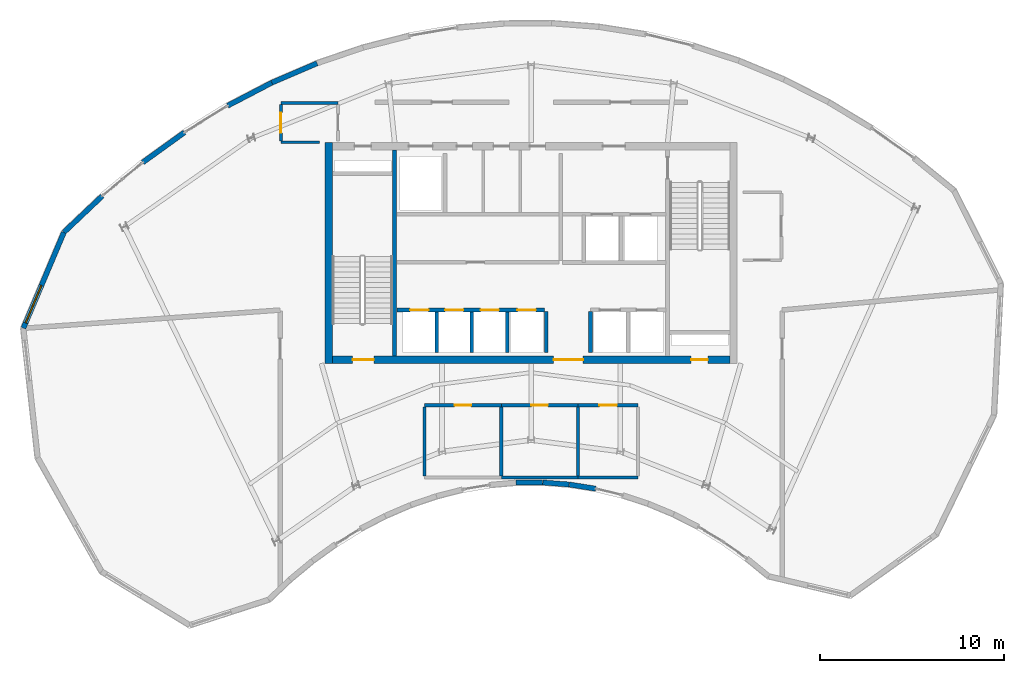
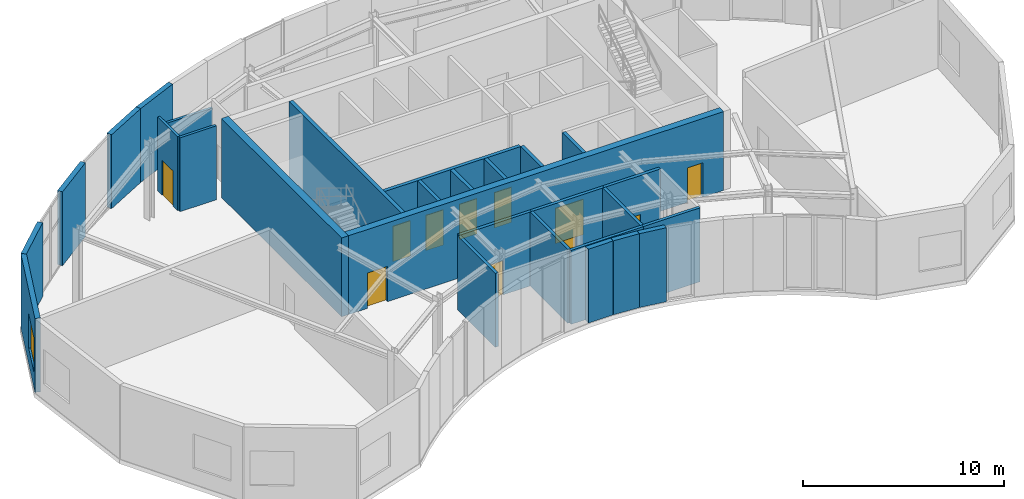
# One storey, part 6 of 10: 28 walls, 11 doors, 1 window, 12 openings.
"""IFC4 building model written with IfcOpenShell, lengths in metres."""

from ifc_helpers import new_model, si_unit, direction, frame, frame_2d, origin, place, context, subcontext, project, spatial, rectangle, extrude, source, transform, mapped, material, layer, layer_set, type_object, type_shapes, element, fill, save


model = new_model("IFC4")

# Units and contexts
model_context = context("Model", 3, precision=1e-05, world=origin(), true_north=direction((0.0, 1.0)))
body_context = subcontext(model_context, "Body", "Model", "MODEL_VIEW")
ifc_project = project(units=[si_unit("LENGTHUNIT", "METRE"), si_unit("AREAUNIT", "SQUARE_METRE"), si_unit("VOLUMEUNIT", "CUBIC_METRE"), si_unit("PLANEANGLEUNIT", "RADIAN"), si_unit("MASSUNIT", "GRAM", prefix="KILO")], contexts=[model_context])

# Site, building, storey
site_placement = place(None, origin())
site = spatial("IfcSite", under=ifc_project, at=site_placement, CompositionType="ELEMENT")
building_placement = place(site_placement, origin())
building = spatial("IfcBuilding", under=site, at=building_placement, Name="Breltana Convention Tower", CompositionType="ELEMENT")
storey_placement = place(building_placement, frame((0.0, 0.0, 307.800048828125)))
storey = spatial("IfcBuildingStorey", under=building, at=storey_placement, Name="L75", CompositionType="ELEMENT", Elevation=307.800048828125)

# Wall
ifc_material_1 = material(Name="Concrete C50/60", Category="concrete")
ifc_layer_1 = layer(ifc_material_1, 0.39990234375, Name="Concrete C50/60")
ifc_layer_set_1 = layer_set([ifc_layer_1], Name="Concrete C50/60")
wall_type_1 = type_object("IfcWallType", Name="SW-CORE-400", PredefinedType="SHEAR", material=ifc_layer_set_1)
shared_shape_1 = source(origin(), body_context, "Body", "SweptSolid", [
    extrude(rectangle(XDim=12.0, YDim=0.39990234375, at=frame_2d((6.0, 0.0))), origin(), (0.0, 0.0, 1.0), 4.800048828125),
])
wall_1_placement = place(storey_placement, frame((37.0, 60.199951171875, 0.0), z_axis=(0.0, 0.0, 1.0), x_axis=(0.0, 1.0, 0.0)))
element("IfcWall", 1, at=wall_1_placement, inside=storey, type_object=wall_type_1, Name="L75 West Core Shear Wall", PredefinedType="SHEAR", context=body_context, shape_type="MappedRepresentation", body=[
    mapped(shared_shape_1, transform((0.0, 0.0, 0.0), scale=1.0)),
])

# Wall, openings, doors
shared_shape_2 = source(origin(), body_context, "Body", "SweptSolid", [
    extrude(rectangle(XDim=21.60009765625, YDim=0.39990234375, at=frame_2d((10.800048828125, 0.0))), origin(), (0.0, 0.0, 1.0), 4.800048828125),
])
wall_2_placement = place(storey_placement, frame((37.199951171875, 60.39990234375, 0.0), z_axis=(0.0, 0.0, 1.0), x_axis=(1.0, 0.0, 0.0)))
wall_2 = element("IfcWall", 2, at=wall_2_placement, inside=storey, type_object=wall_type_1, Name="L75 South Core Shear Wall", PredefinedType="SHEAR", context=body_context, shape_type="MappedRepresentation", body=[
    mapped(shared_shape_2, transform((0.0, 0.0, 0.0), scale=1.0)),
])
opening_1_placement = place(wall_2_placement, frame((1.10009765625, 0.0, 0.0)))
opening_1 = element("IfcOpeningElement", 3, at=opening_1_placement, cuts=wall_2, Name="Opening D-11", PredefinedType="OPENING", context=body_context, shape_type="SweptSolid", body=[
    extrude(rectangle(XDim=1.14990234375, YDim=2.14990234375, at=frame_2d((0.574951171875, 1.074951171875))), frame((0.0, 0.2099609375, 0.0), z_axis=(0.0, -1.0, 0.0), x_axis=(1.0, 0.0, 0.0)), (0.0, 0.0, 1.0), 0.419921875),
])
opening_2_placement = place(wall_2_placement, frame((19.5, 0.0, 0.0)))
opening_2 = element("IfcOpeningElement", 4, at=opening_2_placement, cuts=wall_2, Name="Opening D-18", PredefinedType="OPENING", context=body_context, shape_type="SweptSolid", body=[
    extrude(rectangle(XDim=0.89990234375, YDim=2.10009765625, at=frame_2d((0.449951171875, 1.050048828125))), frame((0.0, 0.2099609375, 0.0), z_axis=(0.0, -1.0, 0.0), x_axis=(1.0, 0.0, 0.0)), (0.0, 0.0, 1.0), 0.419921875),
])
opening_3_placement = place(wall_2_placement, frame((12.02001953125, 0.0, 0.0)))
opening_3 = element("IfcOpeningElement", 5, at=opening_3_placement, cuts=wall_2, Name="Opening D-02", PredefinedType="OPENING", context=body_context, shape_type="SweptSolid", body=[
    extrude(rectangle(XDim=1.60009765625, YDim=2.14990234375, at=frame_2d((0.800048828125, 1.074951171875))), frame((0.0, 0.2099609375, 0.0), z_axis=(0.0, -1.0, 0.0), x_axis=(1.0, 0.0, 0.0)), (0.0, 0.0, 1.0), 0.419921875),
])
ifc_material_2 = material(Name="Steel Stair Exit Door", Category="steel")
door_type_1 = type_object("IfcDoorType", Name="DR-FD120-1150", OperationType="NOTDEFINED", PredefinedType="DOOR", material=ifc_material_2)
shared_shape_3 = source(origin(), body_context, "Body", "SweptSolid", [
    extrude(rectangle(XDim=1.14990234375, YDim=2.14990234375, at=frame_2d((0.574951171875, 1.074951171875))), frame((0.0, 0.02490234375, 0.0), z_axis=(0.0, -1.0, 0.0), x_axis=(1.0, 0.0, 0.0)), (0.0, 0.0, 1.0), 0.050048828125),
])
type_shapes(door_type_1, [shared_shape_3])
door_1_placement = place(opening_1_placement, origin())
door_1 = element("IfcDoor", 6, at=door_1_placement, inside=storey, type_object=door_type_1, Name="L75 interior door D-L75-ST1", OperationType="SINGLE_SWING_LEFT", OverallHeight=2.14990234375, OverallWidth=1.14990234375, PredefinedType="DOOR", context=body_context, shape_type="MappedRepresentation", body=[
    mapped(shared_shape_3, transform((0.0, 0.0, 0.0), scale=1.0)),
])
fill(opening_1, door_1)
ifc_material_3 = material(Name="Steel Riser Fire Door", Category="steel")
door_type_2 = type_object("IfcDoorType", Name="DR-FD60-900", OperationType="NOTDEFINED", PredefinedType="DOOR", material=ifc_material_3)
shared_shape_4 = source(origin(), body_context, "Body", "SweptSolid", [
    extrude(rectangle(XDim=0.89990234375, YDim=2.10009765625, at=frame_2d((0.449951171875, 1.050048828125))), frame((0.0, 0.02490234375, 0.0), z_axis=(0.0, -1.0, 0.0), x_axis=(1.0, 0.0, 0.0)), (0.0, 0.0, 1.0), 0.050048828125),
])
type_shapes(door_type_2, [shared_shape_4])
door_2_placement = place(opening_2_placement, origin())
door_2 = element("IfcDoor", 7, at=door_2_placement, inside=storey, type_object=door_type_2, Name="L75 Core Riser Access Door D-L75-RS2", OperationType="SINGLE_SWING_RIGHT", OverallHeight=2.10009765625, OverallWidth=0.89990234375, PredefinedType="DOOR", context=body_context, shape_type="MappedRepresentation", body=[
    mapped(shared_shape_4, transform((0.0, 0.0, 0.0), scale=1.0)),
])
fill(opening_2, door_2)
ifc_material_4 = material(Name="Steel Glazed Smoke-Control Door", Category="steel")
door_type_3 = type_object("IfcDoorType", Name="DR-DBL-FD90-1600", OperationType="DOUBLE_DOOR_SINGLE_SWING", PredefinedType="DOOR", material=ifc_material_4)
shared_shape_5 = source(origin(), body_context, "Body", "SweptSolid", [
    extrude(rectangle(XDim=1.60009765625, YDim=2.14990234375, at=frame_2d((0.800048828125, 1.074951171875))), frame((0.0, 0.02490234375, 0.0), z_axis=(0.0, -1.0, 0.0), x_axis=(1.0, 0.0, 0.0)), (0.0, 0.0, 1.0), 0.050048828125),
])
type_shapes(door_type_3, [shared_shape_5])
door_3_placement = place(opening_3_placement, origin())
door_3 = element("IfcDoor", 8, at=door_3_placement, inside=storey, type_object=door_type_3, Name="L75 interior door D-L75-LLB-S", OperationType="DOUBLE_DOOR_SINGLE_SWING", OverallHeight=2.14990234375, OverallWidth=1.60009765625, PredefinedType="DOOR", context=body_context, shape_type="MappedRepresentation", body=[
    mapped(shared_shape_5, transform((0.0, 0.0, 0.0), scale=1.0)),
])
fill(opening_3, door_3)

# Walls
shared_shape_6 = source(origin(), body_context, "Body", "SweptSolid", [
    extrude(rectangle(XDim=11.199951171875, YDim=0.219970703125, at=frame_2d((5.60009765625, 0.0))), origin(), (0.0, 0.0, 1.0), 4.800048828125),
])
wall_3_placement = place(storey_placement, frame((40.580078125, 60.60009765625, 0.0), z_axis=(0.0, 0.0, 1.0), x_axis=(0.0, 1.0, 0.0)))
element("IfcWall", 9, at=wall_3_placement, inside=storey, type_object=wall_type_1, Name="L75 Core West Stair Spine Wall", PredefinedType="SHEAR", context=body_context, shape_type="MappedRepresentation", body=[
    mapped(shared_shape_6, transform((0.0, 0.0, 0.0), scale=1.0)),
])
ifc_material_5 = material(Name="Limestone Buff Insulated Wall", Category="masonry")
ifc_layer_2 = layer(ifc_material_5, 0.280029296875, Name="Limestone Buff Insulated Wall")
ifc_layer_set_2 = layer_set([ifc_layer_2], Name="Limestone Buff Insulated Wall")
wall_type_2 = type_object("IfcWallType", Name="WL-EXT-NOSE-280", PredefinedType="SOLIDWALL", material=ifc_layer_set_2)
shared_shape_7 = source(origin(), body_context, "Body", "SweptSolid", [
    extrude(rectangle(XDim=1.446044921875, YDim=0.280029296875, at=frame_2d((0.72314453125, 0.0))), origin(), (0.0, 0.0, 1.0), 4.5),
])
wall_4_placement = place(storey_placement, frame((51.509033203125, 53.38818359375, 0.0), z_axis=(0.0, 0.0, 1.0), x_axis=(-0.987650460941, 0.156673440642, 0.0)))
element("IfcWall", 10, at=wall_4_placement, inside=storey, type_object=wall_type_2, Name="L75 curved limestone nose wall E10", PredefinedType="SOLIDWALL", context=body_context, shape_type="MappedRepresentation", body=[
    mapped(shared_shape_7, transform((0.0, 0.0, 0.0), scale=1.0)),
])
shared_shape_8 = source(origin(), body_context, "Body", "SweptSolid", [
    extrude(rectangle(XDim=1.440185546875, YDim=0.280029296875, at=frame_2d((0.72021484375, 0.0))), origin(), (0.0, 0.0, 1.0), 4.5),
])
wall_5_placement = place(storey_placement, frame((50.066162109375, 53.616455078125, 0.0), z_axis=(0.0, 0.0, 1.0), x_axis=(-0.997124860794, 0.075776064736, 0.0)))
element("IfcWall", 11, at=wall_5_placement, inside=storey, type_object=wall_type_2, Name="L75 curved limestone nose wall E11", PredefinedType="SOLIDWALL", context=body_context, shape_type="MappedRepresentation", body=[
    mapped(shared_shape_8, transform((0.0, 0.0, 0.0), scale=1.0)),
])
shared_shape_9 = source(origin(), body_context, "Body", "SweptSolid", [
    extrude(rectangle(XDim=1.4384765625, YDim=0.280029296875, at=frame_2d((0.71923828125, 0.0))), origin(), (0.0, 0.0, 1.0), 4.5),
])
wall_6_placement = place(storey_placement, frame((48.615478515625, 53.726318359375, 0.0), z_axis=(0.0, 0.0, 1.0), x_axis=(-0.999982357135, -0.005940153174, 0.0)))
element("IfcWall", 12, at=wall_6_placement, inside=storey, type_object=wall_type_2, Name="L75 curved limestone nose wall E12", PredefinedType="SOLIDWALL", context=body_context, shape_type="MappedRepresentation", body=[
    mapped(shared_shape_9, transform((0.0, 0.0, 0.0), scale=1.0)),
])

# Wall, opening, window
shared_shape_10 = source(origin(), body_context, "Body", "SweptSolid", [
    extrude(rectangle(XDim=5.655029296875, YDim=0.280029296875, at=frame_2d((2.82763671875, 0.0))), origin(), (0.0, 0.0, 1.0), 4.5),
])
wall_7_placement = place(storey_placement, frame((20.40087890625, 62.11572265625, 0.0), z_axis=(0.0, 0.0, 1.0), x_axis=(0.389585063528, 0.920990487614, 0.0)))
wall_7 = element("IfcWall", 13, at=wall_7_placement, inside=storey, type_object=wall_type_2, Name="L75 curved limestone nose wall W6", PredefinedType="SOLIDWALL", context=body_context, shape_type="MappedRepresentation", body=[
    mapped(shared_shape_10, transform((0.0, 0.0, 0.0), scale=1.0)),
])
opening_4_placement = place(wall_7_placement, frame((0.313720703125, 0.0, 0.949951171875)))
opening_4 = element("IfcOpeningElement", 14, at=opening_4_placement, cuts=wall_7, Name="Opening W-03", PredefinedType="OPENING", context=body_context, shape_type="SweptSolid", body=[
    extrude(rectangle(XDim=2.199951171875, YDim=2.10009765625, at=frame_2d((1.10009765625, 1.050048828125))), frame((0.0, 0.14990234375, 0.0), z_axis=(0.0, -1.0, 0.0), x_axis=(1.0, 0.0, 0.0)), (0.0, 0.0, 1.0), 0.300048828125),
])
ifc_material_6 = material(Name="Glass Low-E Insulated Window", Category="glass")
window_type = type_object("IfcWindowType", Name="WN-NOSE-2200X2100", PartitioningType="TRIPLE_PANEL_VERTICAL", PredefinedType="WINDOW", material=ifc_material_6)
shared_shape_11 = source(origin(), body_context, "Body", "SweptSolid", [
    extrude(rectangle(XDim=2.199951171875, YDim=2.10009765625, at=frame_2d((1.10009765625, 1.050048828125))), frame((0.0, 0.030029296875, 0.0), z_axis=(0.0, -1.0, 0.0), x_axis=(1.0, 0.0, 0.0)), (0.0, 0.0, 1.0), 0.06005859375),
])
type_shapes(window_type, [shared_shape_11])
window_placement = place(opening_4_placement, origin())
window = element("IfcWindow", 15, at=window_placement, inside=storey, type_object=window_type, Name="L75 nose window W6", OverallHeight=2.10009765625, OverallWidth=2.199951171875, PartitioningType="TRIPLE_PANEL_VERTICAL", PredefinedType="WINDOW", context=body_context, shape_type="MappedRepresentation", body=[
    mapped(shared_shape_11, transform((0.0, 0.0, 0.0), scale=1.0)),
])
fill(opening_4, window)

# Walls
shared_shape_12 = source(origin(), body_context, "Body", "SweptSolid", [
    extrude(rectangle(XDim=2.87255859375, YDim=0.280029296875, at=frame_2d((1.436279296875, 0.0))), origin(), (0.0, 0.0, 1.0), 4.5),
])
wall_8_placement = place(storey_placement, frame((22.60400390625, 67.323974609375, 0.0), z_axis=(0.0, 0.0, 1.0), x_axis=(0.72609560544, 0.687593754888, 0.0)))
element("IfcWall", 16, at=wall_8_placement, inside=storey, type_object=wall_type_2, Name="L75 curved limestone nose wall W7", PredefinedType="SOLIDWALL", context=body_context, shape_type="MappedRepresentation", body=[
    mapped(shared_shape_12, transform((0.0, 0.0, 0.0), scale=1.0)),
])
shared_shape_13 = source(origin(), body_context, "Body", "SweptSolid", [
    extrude(rectangle(XDim=2.8017578125, YDim=0.280029296875, at=frame_2d((1.40087890625, 0.0))), origin(), (0.0, 0.0, 1.0), 4.5),
])
wall_9_placement = place(storey_placement, frame((26.88525390625, 71.11962890625, 0.0), z_axis=(0.0, 0.0, 1.0), x_axis=(0.811507896482, 0.584341453217, 0.0)))
element("IfcWall", 17, at=wall_9_placement, inside=storey, type_object=wall_type_2, Name="L75 curved limestone nose wall E20", PredefinedType="SOLIDWALL", context=body_context, shape_type="MappedRepresentation", body=[
    mapped(shared_shape_13, transform((0.0, 0.0, 0.0), scale=1.0)),
])
shared_shape_14 = source(origin(), body_context, "Body", "SweptSolid", [
    extrude(rectangle(XDim=2.71142578125, YDim=0.280029296875, at=frame_2d((1.355712890625, 0.0))), origin(), (0.0, 0.0, 1.0), 4.5),
])
wall_10_placement = place(storey_placement, frame((31.50244140625, 74.20458984375, 0.0), z_axis=(0.0, 0.0, 1.0), x_axis=(0.886828760751, 0.462098202881, 0.0)))
element("IfcWall", 18, at=wall_10_placement, inside=storey, type_object=wall_type_2, Name="L75 curved limestone nose wall E21", PredefinedType="SOLIDWALL", context=body_context, shape_type="MappedRepresentation", body=[
    mapped(shared_shape_14, transform((0.0, 0.0, 0.0), scale=1.0)),
])
shared_shape_15 = source(origin(), body_context, "Body", "SweptSolid", [
    extrude(rectangle(XDim=2.67333984375, YDim=0.280029296875, at=frame_2d((1.336669921875, 0.0))), origin(), (0.0, 0.0, 1.0), 4.5),
])
wall_11_placement = place(storey_placement, frame((33.906982421875, 75.45751953125, 0.0), z_axis=(0.0, 0.0, 1.0), x_axis=(0.919036345912, 0.394172798266, 0.0)))
element("IfcWall", 19, at=wall_11_placement, inside=storey, type_object=wall_type_2, Name="L75 curved limestone nose wall E22", PredefinedType="SOLIDWALL", context=body_context, shape_type="MappedRepresentation", body=[
    mapped(shared_shape_15, transform((0.0, 0.0, 0.0), scale=1.0)),
])
ifc_material_7 = material(Name="Autoclaved Aerated Concrete Block", Category="concrete")
ifc_layer_3 = layer(ifc_material_7, 0.199951171875, Name="Autoclaved Aerated Concrete Block")
ifc_layer_set_3 = layer_set([ifc_layer_3], Name="Autoclaved Aerated Concrete Block")
wall_type_3 = type_object("IfcWallType", Name="WL-SHAFT-200", PredefinedType="SOLIDWALL", material=ifc_layer_set_3)
shared_shape_16 = source(origin(), body_context, "Body", "SweptSolid", [
    extrude(rectangle(XDim=2.239990234375, YDim=0.199951171875, at=frame_2d((1.1201171875, 0.0))), origin(), (0.0, 0.0, 1.0), 4.5),
])
for number, where, z_axis, x_axis, name in (
    (20, (48.820068359375, 60.780029296875, 0.0), (0.0, 0.0, 1.0), (0.0, 1.0, 0.0), "L75 interior partition W-L75-PORT-W"),
    (21, (51.219970703125, 60.780029296875, 0.0), (0.0, 0.0, 1.0), (0.0, 1.0, 0.0), "L75 interior partition W-L75-PORT-E"),
):
    element("IfcWall", number, at=place(storey_placement, frame(where, z_axis=z_axis, x_axis=x_axis)), inside=storey, type_object=wall_type_3, Name=name, PredefinedType="SOLIDWALL", context=body_context, shape_type="MappedRepresentation", body=[
        mapped(shared_shape_16, transform((0.0, 0.0, 0.0), scale=1.0)),
    ])

# Wall, openings, doors
shared_shape_17 = source(origin(), body_context, "Body", "SweptSolid", [
    extrude(rectangle(XDim=8.02001953125, YDim=0.199951171875, at=frame_2d((4.010009765625, 0.0))), origin(), (0.0, 0.0, 1.0), 4.5),
])
wall_12_placement = place(storey_placement, frame((40.699951171875, 63.10009765625, 0.0), z_axis=(0.0, 0.0, 1.0), x_axis=(1.0, 0.0, 0.0)))
wall_12 = element("IfcWall", 22, at=wall_12_placement, inside=storey, type_object=wall_type_3, Name="L75 interior partition W-L75-SH-S-FRONT", PredefinedType="SOLIDWALL", context=body_context, shape_type="MappedRepresentation", body=[
    mapped(shared_shape_17, transform((0.0, 0.0, 0.0), scale=1.0)),
])
opening_5_placement = place(wall_12_placement, frame((0.719970703125, 0.0, 0.0)))
opening_5 = element("IfcOpeningElement", 23, at=opening_5_placement, cuts=wall_12, Name="Opening LD-04", PredefinedType="OPENING", context=body_context, shape_type="SweptSolid", body=[
    extrude(rectangle(XDim=1.0, YDim=2.14990234375, at=frame_2d((0.5, 1.074951171875))), frame((0.0, 0.10986328125, 0.0), z_axis=(0.0, -1.0, 0.0), x_axis=(1.0, 0.0, 0.0)), (0.0, 0.0, 1.0), 0.219970703125),
])
opening_6_placement = place(wall_12_placement, frame((2.6201171875, 0.0, 0.0)))
opening_6 = element("IfcOpeningElement", 24, at=opening_6_placement, cuts=wall_12, Name="Opening LD-04", PredefinedType="OPENING", context=body_context, shape_type="SweptSolid", body=[
    extrude(rectangle(XDim=1.0, YDim=2.14990234375, at=frame_2d((0.5, 1.074951171875))), frame((0.0, 0.10986328125, 0.0), z_axis=(0.0, -1.0, 0.0), x_axis=(1.0, 0.0, 0.0)), (0.0, 0.0, 1.0), 0.219970703125),
])
opening_7_placement = place(wall_12_placement, frame((4.550048828125, 0.0, 0.0)))
opening_7 = element("IfcOpeningElement", 25, at=opening_7_placement, cuts=wall_12, Name="Opening LD-04", PredefinedType="OPENING", context=body_context, shape_type="SweptSolid", body=[
    extrude(rectangle(XDim=1.0, YDim=2.14990234375, at=frame_2d((0.5, 1.074951171875))), frame((0.0, 0.10986328125, 0.0), z_axis=(0.0, -1.0, 0.0), x_axis=(1.0, 0.0, 0.0)), (0.0, 0.0, 1.0), 0.219970703125),
])
opening_8_placement = place(wall_12_placement, frame((6.550048828125, 0.0, 0.0)))
opening_8 = element("IfcOpeningElement", 26, at=opening_8_placement, cuts=wall_12, Name="Opening LD-04", PredefinedType="OPENING", context=body_context, shape_type="SweptSolid", body=[
    extrude(rectangle(XDim=1.0, YDim=2.14990234375, at=frame_2d((0.5, 1.074951171875))), frame((0.0, 0.10986328125, 0.0), z_axis=(0.0, -1.0, 0.0), x_axis=(1.0, 0.0, 0.0)), (0.0, 0.0, 1.0), 0.219970703125),
])
ifc_material_8 = material(Name="Stainless Steel Brushed", Category="steel")
door_type_4 = type_object("IfcDoorType", Name="DR-LD-PAX-1000", OperationType="DOUBLE_DOOR_SLIDING", PredefinedType="DOOR", material=ifc_material_8)
shared_shape_18 = source(origin(), body_context, "Body", "SweptSolid", [
    extrude(rectangle(XDim=1.0, YDim=2.14990234375, at=frame_2d((0.5, 1.074951171875))), frame((0.0, 0.02490234375, 0.0), z_axis=(0.0, -1.0, 0.0), x_axis=(1.0, 0.0, 0.0)), (0.0, 0.0, 1.0), 0.050048828125),
])
type_shapes(door_type_4, [shared_shape_18])
door_4_placement = place(opening_5_placement, origin())
door_4 = element("IfcDoor", 27, at=door_4_placement, inside=storey, type_object=door_type_4, Name="L75 Lift Landing Door D-L75-LD-S1", OperationType="DOUBLE_DOOR_SLIDING", OverallHeight=2.14990234375, OverallWidth=1.0, PredefinedType="DOOR", context=body_context, shape_type="MappedRepresentation", body=[
    mapped(shared_shape_18, transform((0.0, 0.0, 0.0), scale=1.0)),
])
fill(opening_5, door_4)
door_5_placement = place(opening_6_placement, origin())
door_5 = element("IfcDoor", 28, at=door_5_placement, inside=storey, type_object=door_type_4, Name="L75 Lift Landing Door D-L75-LD-S2", OperationType="DOUBLE_DOOR_SLIDING", OverallHeight=2.14990234375, OverallWidth=1.0, PredefinedType="DOOR", context=body_context, shape_type="MappedRepresentation", body=[
    mapped(shared_shape_18, transform((0.0, 0.0, 0.0), scale=1.0)),
])
fill(opening_6, door_5)
door_6_placement = place(opening_7_placement, origin())
door_6 = element("IfcDoor", 29, at=door_6_placement, inside=storey, type_object=door_type_4, Name="L75 Lift Landing Door D-L75-LD-S3", OperationType="DOUBLE_DOOR_SLIDING", OverallHeight=2.14990234375, OverallWidth=1.0, PredefinedType="DOOR", context=body_context, shape_type="MappedRepresentation", body=[
    mapped(shared_shape_18, transform((0.0, 0.0, 0.0), scale=1.0)),
])
fill(opening_7, door_6)
door_7_placement = place(opening_8_placement, origin())
door_7 = element("IfcDoor", 30, at=door_7_placement, inside=storey, type_object=door_type_4, Name="L75 Lift Landing Door D-L75-LD-S4", OperationType="DOUBLE_DOOR_SLIDING", OverallHeight=2.14990234375, OverallWidth=1.0, PredefinedType="DOOR", context=body_context, shape_type="MappedRepresentation", body=[
    mapped(shared_shape_18, transform((0.0, 0.0, 0.0), scale=1.0)),
])
fill(opening_8, door_7)

# Walls
shared_shape_19 = source(origin(), body_context, "Body", "SweptSolid", [
    extrude(rectangle(XDim=2.199951171875, YDim=0.199951171875, at=frame_2d((1.10009765625, 0.0))), origin(), (0.0, 0.0, 1.0), 4.5),
])
for number, where, z_axis, x_axis, name in (
    (31, (42.8701171875, 60.800048828125, 0.0), (0.0, 0.0, 1.0), (0.0, 1.0, 0.0), "L75 interior partition W-L75-SH-S-DIV1"),
    (32, (44.77001953125, 60.800048828125, 0.0), (0.0, 0.0, 1.0), (0.0, 1.0, 0.0), "L75 interior partition W-L75-SH-S-DIV2"),
    (33, (46.699951171875, 60.800048828125, 0.0), (0.0, 0.0, 1.0), (0.0, 1.0, 0.0), "L75 interior partition W-L75-SH-S-DIV3"),
):
    element("IfcWall", number, at=place(storey_placement, frame(where, z_axis=z_axis, x_axis=x_axis)), inside=storey, type_object=wall_type_3, Name=name, PredefinedType="SOLIDWALL", context=body_context, shape_type="MappedRepresentation", body=[
        mapped(shared_shape_19, transform((0.0, 0.0, 0.0), scale=1.0)),
    ])
ifc_material_9 = material(Name="Gypsum Acoustic Drywall Partition")
ifc_layer_4 = layer(ifc_material_9, 0.14990234375, Name="Gypsum Acoustic Drywall Partition")
ifc_layer_set_4 = layer_set([ifc_layer_4], Name="Gypsum Acoustic Drywall Partition")
wall_type_4 = type_object("IfcWallType", Name="WL-PART-150", PredefinedType="PARTITIONING", material=ifc_layer_set_4)
shared_shape_20 = source(origin(), body_context, "Body", "SweptSolid", [
    extrude(rectangle(XDim=2.10009765625, YDim=0.14990234375, at=frame_2d((1.050048828125, 0.0))), origin(), (0.0, 0.0, 1.0), 4.5),
])
wall_13_placement = place(storey_placement, frame((34.39990234375, 72.219970703125, 0.0), z_axis=(0.0, 0.0, 1.0), x_axis=(1.0, 0.0, 0.0)))
element("IfcWall", 34, at=wall_13_placement, inside=storey, type_object=wall_type_4, Name="L75 interior partition W-L75-CRNE-S", PredefinedType="PARTITIONING", context=body_context, shape_type="MappedRepresentation", body=[
    mapped(shared_shape_20, transform((0.0, 0.0, 0.0), scale=1.0)),
])
shared_shape_21 = source(origin(), body_context, "Body", "SweptSolid", [
    extrude(rectangle(XDim=3.10009765625, YDim=0.14990234375, at=frame_2d((1.550048828125, 0.0))), origin(), (0.0, 0.0, 1.0), 3.930908203125),
])
wall_14_placement = place(storey_placement, frame((34.39990234375, 74.35009765625, 0.0), z_axis=(0.0, 0.0, 1.0), x_axis=(1.0, 0.0, 0.0)))
element("IfcWall", 35, at=wall_14_placement, inside=storey, type_object=wall_type_4, Name="L75 interior partition W-L75-CRNE-N", PredefinedType="PARTITIONING", context=body_context, shape_type="MappedRepresentation", body=[
    mapped(shared_shape_21, transform((0.0, 0.0, 0.0), scale=1.0)),
])

# Wall, opening, door
shared_shape_22 = source(origin(), body_context, "Body", "SweptSolid", [
    extrude(rectangle(XDim=1.994873046875, YDim=0.14990234375, at=frame_2d((0.99755859375, 0.0))), origin(), (0.0, 0.0, 1.0), 4.5),
])
wall_15_placement = place(storey_placement, frame((34.39990234375, 72.28759765625, 0.0), z_axis=(0.0, 0.0, 1.0), x_axis=(0.0, 1.0, 0.0)))
wall_15 = element("IfcWall", 36, at=wall_15_placement, inside=storey, type_object=wall_type_4, Name="L75 interior partition W-L75-CRNE-W", PredefinedType="PARTITIONING", context=body_context, shape_type="MappedRepresentation", body=[
    mapped(shared_shape_22, transform((0.0, 0.0, 0.0), scale=1.0)),
])
opening_9_placement = place(wall_15_placement, frame((0.447509765625, 0.0, 0.0)))
opening_9 = element("IfcOpeningElement", 37, at=opening_9_placement, cuts=wall_15, Name="Opening D-12", PredefinedType="OPENING", context=body_context, shape_type="SweptSolid", body=[
    extrude(rectangle(XDim=1.10009765625, YDim=2.14990234375, at=frame_2d((0.550048828125, 1.074951171875))), frame((0.0, 0.0849609375, 0.0), z_axis=(0.0, -1.0, 0.0), x_axis=(1.0, 0.0, 0.0)), (0.0, 0.0, 1.0), 0.169921875),
])
ifc_material_10 = material(Name="Timber Oak Acoustic Door", Category="wood")
door_type_5 = type_object("IfcDoorType", Name="DR-INT-1100", OperationType="NOTDEFINED", PredefinedType="DOOR", material=ifc_material_10)
shared_shape_23 = source(origin(), body_context, "Body", "SweptSolid", [
    extrude(rectangle(XDim=1.10009765625, YDim=2.14990234375, at=frame_2d((0.550048828125, 1.074951171875))), frame((0.0, 0.02490234375, 0.0), z_axis=(0.0, -1.0, 0.0), x_axis=(1.0, 0.0, 0.0)), (0.0, 0.0, 1.0), 0.050048828125),
])
type_shapes(door_type_5, [shared_shape_23])
door_8_placement = place(opening_9_placement, origin())
door_8 = element("IfcDoor", 38, at=door_8_placement, inside=storey, type_object=door_type_5, Name="L75 interior door D-L75-OGW2", OperationType="SINGLE_SWING_LEFT", OverallHeight=2.14990234375, OverallWidth=1.10009765625, PredefinedType="DOOR", context=body_context, shape_type="MappedRepresentation", body=[
    mapped(shared_shape_23, transform((0.0, 0.0, 0.0), scale=1.0)),
])
fill(opening_9, door_8)

# Wall
ifc_material_11 = material(Name="Cement Board Wet-Area Partition")
ifc_layer_5 = layer(ifc_material_11, 0.175048828125, Name="Cement Board Wet-Area Partition")
ifc_layer_set_5 = layer_set([ifc_layer_5], Name="Cement Board Wet-Area Partition")
wall_type_5 = type_object("IfcWallType", Name="WL-WET-175", PredefinedType="PARTITIONING", material=ifc_layer_set_5)
shared_shape_24 = source(origin(), body_context, "Body", "SweptSolid", [
    extrude(rectangle(XDim=4.176025390625, YDim=0.175048828125, at=frame_2d((2.087890625, 0.0))), origin(), (0.0, 0.0, 1.0), 4.5),
])
wall_16_placement = place(storey_placement, frame((46.3759765625, 54.0, 0.0), z_axis=(0.0, 0.0, 1.0), x_axis=(1.0, 0.0, 0.0)))
element("IfcWall", 39, at=wall_16_placement, inside=storey, type_object=wall_type_5, Name="L75 interior partition W-L75-WCF-S", PredefinedType="PARTITIONING", context=body_context, shape_type="MappedRepresentation", body=[
    mapped(shared_shape_24, transform((0.0, 0.0, 0.0), scale=1.0)),
])

# Wall, opening, door
ifc_material_12 = material(Name="Moisture-Resistant Gypsum Chase Wall")
ifc_layer_6 = layer(ifc_material_12, 0.179931640625, Name="Moisture-Resistant Gypsum Chase Wall")
ifc_layer_set_6 = layer_set([ifc_layer_6], Name="Moisture-Resistant Gypsum Chase Wall")
wall_type_6 = type_object("IfcWallType", Name="WL-PLUMB-180", PredefinedType="PLUMBINGWALL", material=ifc_layer_set_6)
shared_shape_25 = source(origin(), body_context, "Body", "SweptSolid", [
    extrude(rectangle(XDim=4.176025390625, YDim=0.179931640625, at=frame_2d((2.087890625, 0.0))), origin(), (0.0, 0.0, 1.0), 4.5),
])
wall_17_placement = place(storey_placement, frame((42.199951171875, 57.919921875, 0.0), z_axis=(0.0, 0.0, 1.0), x_axis=(1.0, 0.0, 0.0)))
wall_17 = element("IfcWall", 40, at=wall_17_placement, inside=storey, type_object=wall_type_6, Name="L75 interior partition W-L75-WCM-N", PredefinedType="PLUMBINGWALL", context=body_context, shape_type="MappedRepresentation", body=[
    mapped(shared_shape_25, transform((0.0, 0.0, 0.0), scale=1.0)),
])
opening_10_placement = place(wall_17_placement, frame((1.637939453125, 0.0, 0.0)))
opening_10 = element("IfcOpeningElement", 41, at=opening_10_placement, cuts=wall_17, Name="Opening D-19", PredefinedType="OPENING", context=body_context, shape_type="SweptSolid", body=[
    extrude(rectangle(XDim=0.89990234375, YDim=2.080078125, at=frame_2d((0.449951171875, 1.0400390625))), frame((0.0, 0.10009765625, 0.0), z_axis=(0.0, -1.0, 0.0), x_axis=(1.0, 0.0, 0.0)), (0.0, 0.0, 1.0), 0.199951171875),
])
ifc_material_13 = material(Name="Timber Moisture-Resistant Door", Category="wood")
door_type_6 = type_object("IfcDoorType", Name="DR-WC-900", OperationType="NOTDEFINED", PredefinedType="DOOR", material=ifc_material_13)
shared_shape_26 = source(origin(), body_context, "Body", "SweptSolid", [
    extrude(rectangle(XDim=0.89990234375, YDim=2.080078125, at=frame_2d((0.449951171875, 1.0400390625))), frame((0.0, 0.02490234375, 0.0), z_axis=(0.0, -1.0, 0.0), x_axis=(1.0, 0.0, 0.0)), (0.0, 0.0, 1.0), 0.050048828125),
])
type_shapes(door_type_6, [shared_shape_26])
door_9_placement = place(opening_10_placement, origin())
door_9 = element("IfcDoor", 42, at=door_9_placement, inside=storey, type_object=door_type_6, Name="L75 interior door D-L75-WCM", OperationType="SINGLE_SWING_LEFT", OverallHeight=2.080078125, OverallWidth=0.89990234375, PredefinedType="DOOR", context=body_context, shape_type="MappedRepresentation", body=[
    mapped(shared_shape_26, transform((0.0, 0.0, 0.0), scale=1.0)),
])
fill(opening_10, door_9)

wall_18_placement = place(storey_placement, frame((46.3759765625, 57.919921875, 0.0), z_axis=(0.0, 0.0, 1.0), x_axis=(1.0, 0.0, 0.0)))
wall_18 = element("IfcWall", 43, at=wall_18_placement, inside=storey, type_object=wall_type_6, Name="L75 interior partition W-L75-WCF-N", PredefinedType="PLUMBINGWALL", context=body_context, shape_type="MappedRepresentation", body=[
    mapped(shared_shape_25, transform((0.0, 0.0, 0.0), scale=1.0)),
])
opening_11_placement = place(wall_18_placement, frame((1.637939453125, 0.0, 0.0)))
opening_11 = element("IfcOpeningElement", 44, at=opening_11_placement, cuts=wall_18, Name="Opening D-19", PredefinedType="OPENING", context=body_context, shape_type="SweptSolid", body=[
    extrude(rectangle(XDim=0.89990234375, YDim=2.080078125, at=frame_2d((0.449951171875, 1.0400390625))), frame((0.0, 0.10009765625, 0.0), z_axis=(0.0, -1.0, 0.0), x_axis=(1.0, 0.0, 0.0)), (0.0, 0.0, 1.0), 0.199951171875),
])
door_10_placement = place(opening_11_placement, origin())
door_10 = element("IfcDoor", 45, at=door_10_placement, inside=storey, type_object=door_type_6, Name="L75 interior door D-L75-WCF", OperationType="SINGLE_SWING_RIGHT", OverallHeight=2.080078125, OverallWidth=0.89990234375, PredefinedType="DOOR", context=body_context, shape_type="MappedRepresentation", body=[
    mapped(shared_shape_26, transform((0.0, 0.0, 0.0), scale=1.0)),
])
fill(opening_11, door_10)

# Walls
shared_shape_27 = source(origin(), body_context, "Body", "SweptSolid", [
    extrude(rectangle(XDim=3.7626953125, YDim=0.175048828125, at=frame_2d((1.88134765625, 0.0))), origin(), (0.0, 0.0, 1.0), 4.5),
])
for number, where, z_axis, x_axis, name in (
    (46, (42.199951171875, 54.07861328125, 0.0), (0.0, 0.0, 1.0), (0.0, 1.0, 0.0), "L75 interior partition W-L75-WCM-W"),
    (47, (46.3759765625, 54.07861328125, 0.0), (0.0, 0.0, 1.0), (0.0, 1.0, 0.0), "L75 interior partition W-L75-WCM-E"),
    (48, (50.552001953125, 54.07861328125, 0.0), (0.0, 0.0, 1.0), (0.0, 1.0, 0.0), "L75 interior partition W-L75-WCF-E"),
):
    element("IfcWall", number, at=place(storey_placement, frame(where, z_axis=z_axis, x_axis=x_axis)), inside=storey, type_object=wall_type_5, Name=name, PredefinedType="PARTITIONING", context=body_context, shape_type="MappedRepresentation", body=[
        mapped(shared_shape_27, transform((0.0, 0.0, 0.0), scale=1.0)),
    ])
shared_shape_28 = source(origin(), body_context, "Body", "SweptSolid", [
    extrude(rectangle(XDim=3.248046875, YDim=0.175048828125, at=frame_2d((1.6240234375, 0.0))), origin(), (0.0, 0.0, 1.0), 4.5),
])
wall_19_placement = place(storey_placement, frame((50.552001953125, 54.0, 0.0), z_axis=(0.0, 0.0, 1.0), x_axis=(1.0, 0.0, 0.0)))
element("IfcWall", 49, at=wall_19_placement, inside=storey, type_object=wall_type_5, Name="L75 interior partition W-L75-WCA-S", PredefinedType="PARTITIONING", context=body_context, shape_type="MappedRepresentation", body=[
    mapped(shared_shape_28, transform((0.0, 0.0, 0.0), scale=1.0)),
])

# Wall, opening, door
shared_shape_29 = source(origin(), body_context, "Body", "SweptSolid", [
    extrude(rectangle(XDim=3.248046875, YDim=0.179931640625, at=frame_2d((1.6240234375, 0.0))), origin(), (0.0, 0.0, 1.0), 4.5),
])
wall_20_placement = place(storey_placement, frame((50.552001953125, 57.919921875, 0.0), z_axis=(0.0, 0.0, 1.0), x_axis=(1.0, 0.0, 0.0)))
wall_20 = element("IfcWall", 50, at=wall_20_placement, inside=storey, type_object=wall_type_6, Name="L75 interior partition W-L75-WCA-N", PredefinedType="PLUMBINGWALL", context=body_context, shape_type="MappedRepresentation", body=[
    mapped(shared_shape_29, transform((0.0, 0.0, 0.0), scale=1.0)),
])
opening_12_placement = place(wall_20_placement, frame((1.14892578125, 0.0, 0.0)))
opening_12 = element("IfcOpeningElement", 51, at=opening_12_placement, cuts=wall_20, Name="Opening D-16", PredefinedType="OPENING", context=body_context, shape_type="SweptSolid", body=[
    extrude(rectangle(XDim=0.949951171875, YDim=2.1201171875, at=frame_2d((0.47509765625, 1.06005859375))), frame((0.0, 0.10009765625, 0.0), z_axis=(0.0, -1.0, 0.0), x_axis=(1.0, 0.0, 0.0)), (0.0, 0.0, 1.0), 0.199951171875),
])
ifc_material_14 = material(Name="Timber Laminate Accessible Door", Category="wood")
door_type_7 = type_object("IfcDoorType", Name="DR-ACC-950", OperationType="NOTDEFINED", PredefinedType="DOOR", material=ifc_material_14)
shared_shape_30 = source(origin(), body_context, "Body", "SweptSolid", [
    extrude(rectangle(XDim=0.949951171875, YDim=2.1201171875, at=frame_2d((0.47509765625, 1.06005859375))), frame((0.0, 0.02490234375, 0.0), z_axis=(0.0, -1.0, 0.0), x_axis=(1.0, 0.0, 0.0)), (0.0, 0.0, 1.0), 0.050048828125),
])
type_shapes(door_type_7, [shared_shape_30])
door_11_placement = place(opening_12_placement, origin())
door_11 = element("IfcDoor", 52, at=door_11_placement, inside=storey, type_object=door_type_7, Name="L75 interior door D-L75-WCA", OperationType="SINGLE_SWING_LEFT", OverallHeight=2.1201171875, OverallWidth=0.949951171875, PredefinedType="DOOR", context=body_context, shape_type="MappedRepresentation", body=[
    mapped(shared_shape_30, transform((0.0, 0.0, 0.0), scale=1.0)),
])
fill(opening_12, door_11)

save(model, "model.ifc")
